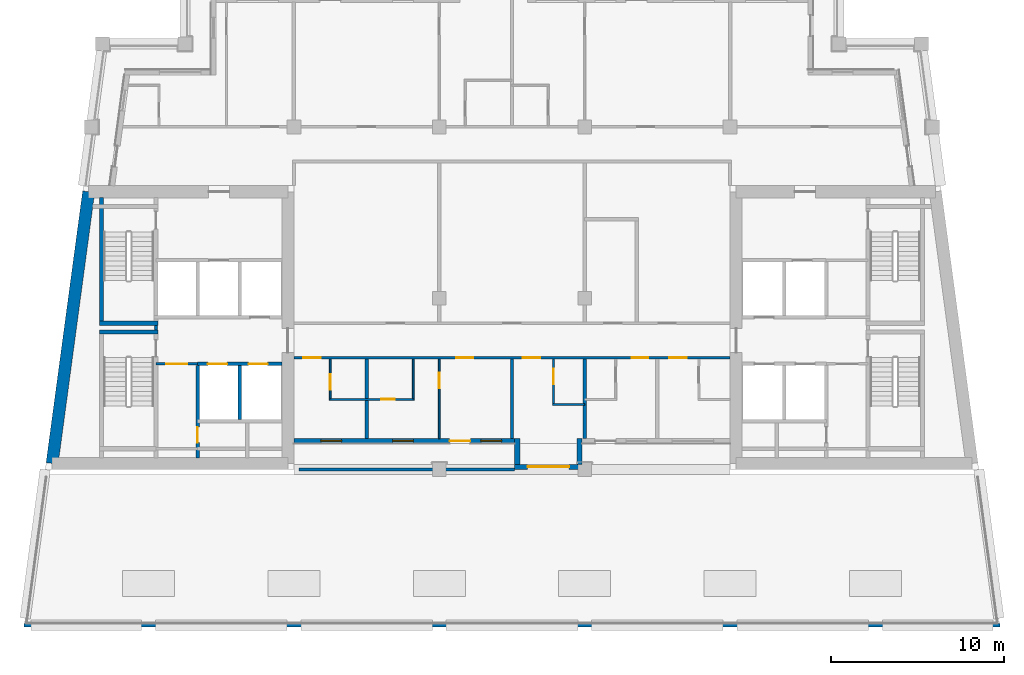
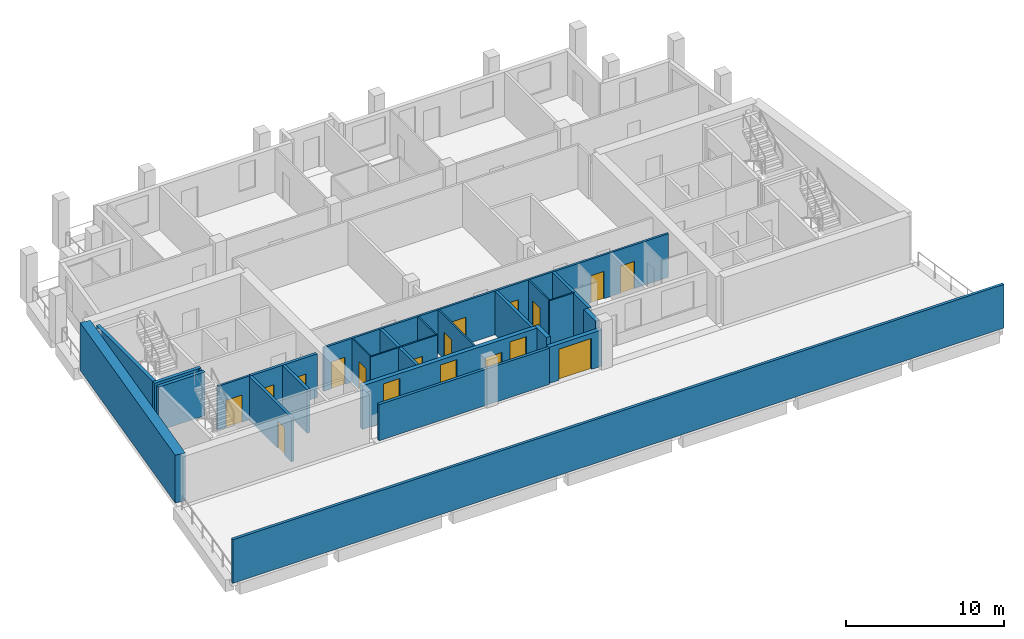
# One storey, part 2 of 12: 25 walls, 15 doors, 3 windows, 18 openings.
"""IFC4 building model written with IfcOpenShell, lengths in metres."""

from ifc_helpers import new_model, si_unit, direction, frame, frame_2d, origin, place, context, subcontext, project, spatial, rectangle, extrude, material, layer, layer_set, type_object, element, fill, save


model = new_model("IFC4")

# Units and contexts
model_context = context("Model", 3, precision=1e-05, world=origin(), true_north=direction((0.0, 1.0)))
body_context = subcontext(model_context, "Body", "Model", "MODEL_VIEW")
ifc_project = project(units=[si_unit("LENGTHUNIT", "METRE"), si_unit("AREAUNIT", "SQUARE_METRE"), si_unit("VOLUMEUNIT", "CUBIC_METRE"), si_unit("PLANEANGLEUNIT", "RADIAN"), si_unit("MASSUNIT", "GRAM", prefix="KILO")], contexts=[model_context])

# Site, building, storey
site_placement = place(None, origin())
site = spatial("IfcSite", under=ifc_project, at=site_placement, CompositionType="ELEMENT")
building_placement = place(site_placement, origin())
building = spatial("IfcBuilding", under=site, at=building_placement, Name="Candeia Pilgrim Tower and Theatre", CompositionType="ELEMENT")
storey_placement = place(building_placement, frame((0.0, 0.0, 281.199951171875)))
storey = spatial("IfcBuildingStorey", under=building, at=storey_placement, Name="L68", CompositionType="ELEMENT", Elevation=281.199951171875)

# Wall
ifc_material_1 = material(Name="Concrete C40/50", Category="concrete")
ifc_layer_1 = layer(ifc_material_1, 0.699951171875)
ifc_layer_set_1 = layer_set([ifc_layer_1], Name="Core wall 700 C40/50")
wall_type_1 = type_object("IfcWallType", Name="Core wall 700 C40/50", PredefinedType="SHEAR", material=ifc_layer_set_1)
wall_1_placement = place(storey_placement, frame((86.8232421875, 116.35009765625, 0.0), z_axis=(0.0, 0.0, 1.0), x_axis=(0.133416378607, 0.99106007382, 0.0)))
element("IfcWall", 1, at=wall_1_placement, inside=storey, type_object=wall_type_1, Name="Core wall W4", PredefinedType="SHEAR", context=body_context, shape_type="SweptSolid", body=[
    extrude(rectangle(XDim=15.841552734375, YDim=0.699951171875, at=frame_2d((7.9208984375, 0.0))), origin(), (0.0, 0.0, 1.0), 3.699951171875),
])

# Wall, openings, door, windows
ifc_material_2 = material(Name="Ceramic block masonry", Category="masonry")
ifc_layer_2 = layer(ifc_material_2, 0.300048828125)
ifc_layer_set_2 = layer_set([ifc_layer_2], Name="EW1 glazing-line wall 300")
wall_type_2 = type_object("IfcWallType", Name="EW1 glazing-line wall 300", PredefinedType="SOLIDWALL", material=ifc_layer_set_2)
wall_2_placement = place(storey_placement, frame((100.800048828125, 117.64990234375, 0.0), z_axis=(0.0, 0.0, 1.0), x_axis=(1.0, 0.0, 0.0)))
wall_2 = element("IfcWall", 2, at=wall_2_placement, inside=storey, type_object=wall_type_2, Name="External wall L68-1.0", PredefinedType="SOLIDWALL", context=body_context, shape_type="SweptSolid", body=[
    extrude(rectangle(XDim=12.75, YDim=0.300048828125, at=frame_2d((6.375, 0.0))), origin(), (0.0, 0.0, 1.0), 3.380126953125),
])
opening_1_placement = place(wall_2_placement, frame((1.550048828125, 0.0, 0.89990234375)))
opening_1 = element("IfcOpeningElement", 3, at=opening_1_placement, cuts=wall_2, Name="Opening W-B", PredefinedType="OPENING", context=body_context, shape_type="SweptSolid", body=[
    extrude(rectangle(XDim=1.199951171875, YDim=2.10009765625, at=frame_2d((0.60009765625, 1.050048828125))), frame((0.0, 0.16015625, 0.0), z_axis=(0.0, -1.0, 0.0), x_axis=(1.0, 0.0, 0.0)), (0.0, 0.0, 1.0), 0.320068359375),
])
opening_2_placement = place(wall_2_placement, frame((5.699951171875, 0.0, 0.89990234375)))
opening_2 = element("IfcOpeningElement", 4, at=opening_2_placement, cuts=wall_2, Name="Opening W-B", PredefinedType="OPENING", context=body_context, shape_type="SweptSolid", body=[
    extrude(rectangle(XDim=1.199951171875, YDim=2.10009765625, at=frame_2d((0.60009765625, 1.050048828125))), frame((0.0, 0.16015625, 0.0), z_axis=(0.0, -1.0, 0.0), x_axis=(1.0, 0.0, 0.0)), (0.0, 0.0, 1.0), 0.320068359375),
])
opening_3_placement = place(wall_2_placement, frame((9.0, 0.0, 0.0)))
opening_3 = element("IfcOpeningElement", 5, at=opening_3_placement, cuts=wall_2, Name="Opening L68-ED637", PredefinedType="OPENING", context=body_context, shape_type="SweptSolid", body=[
    extrude(rectangle(XDim=1.199951171875, YDim=2.39990234375, at=frame_2d((0.60009765625, 1.199951171875))), frame((0.0, 0.16015625, 0.0), z_axis=(0.0, -1.0, 0.0), x_axis=(1.0, 0.0, 0.0)), (0.0, 0.0, 1.0), 0.320068359375),
])
opening_4_placement = place(wall_2_placement, frame((10.800048828125, 0.0, 0.89990234375)))
opening_4 = element("IfcOpeningElement", 6, at=opening_4_placement, cuts=wall_2, Name="Opening W-B", PredefinedType="OPENING", context=body_context, shape_type="SweptSolid", body=[
    extrude(rectangle(XDim=1.199951171875, YDim=2.10009765625, at=frame_2d((0.60009765625, 1.050048828125))), frame((0.0, 0.16015625, 0.0), z_axis=(0.0, -1.0, 0.0), x_axis=(1.0, 0.0, 0.0)), (0.0, 0.0, 1.0), 0.320068359375),
])
ifc_material_3 = material(Name="Aluminium framed glazed door", Category="aluminium")
door_type_1 = type_object("IfcDoorType", Name="Loggia door 1200x2400", OperationType="DOUBLE_DOOR_SINGLE_SWING", PredefinedType="DOOR", material=ifc_material_3)
door_1_placement = place(opening_3_placement, origin())
door_1 = element("IfcDoor", 7, at=door_1_placement, inside=storey, type_object=door_type_1, Name="Loggia door L68-ED637", OperationType="DOUBLE_DOOR_SINGLE_SWING", OverallHeight=2.39990234375, OverallWidth=1.199951171875, PredefinedType="DOOR", context=body_context, shape_type="SweptSolid", body=[
    extrude(rectangle(XDim=1.199951171875, YDim=2.39990234375, at=frame_2d((0.60009765625, 1.199951171875))), frame((0.0, 0.02490234375, 0.0), z_axis=(0.0, -1.0, 0.0), x_axis=(1.0, 0.0, 0.0)), (0.0, 0.0, 1.0), 0.050048828125),
])
fill(opening_3, door_1)
ifc_material_4 = material(Name="Aluminium framed double glazing", Category="aluminium")
window_type = type_object("IfcWindowType", Name="W-B window 1200x2100", PartitioningType="SINGLE_PANEL", PredefinedType="WINDOW", material=ifc_material_4)
window_1_placement = place(opening_1_placement, origin())
window_1 = element("IfcWindow", 8, at=window_1_placement, inside=storey, type_object=window_type, Name="Window W-B L68", OverallHeight=2.10009765625, OverallWidth=1.199951171875, PartitioningType="SINGLE_PANEL", PredefinedType="WINDOW", context=body_context, shape_type="SweptSolid", body=[
    extrude(rectangle(XDim=1.199951171875, YDim=2.10009765625, at=frame_2d((0.60009765625, 1.050048828125))), frame((0.0, 0.030029296875, 0.0), z_axis=(0.0, -1.0, 0.0), x_axis=(1.0, 0.0, 0.0)), (0.0, 0.0, 1.0), 0.06005859375),
])
fill(opening_1, window_1)
window_2_placement = place(opening_2_placement, origin())
window_2 = element("IfcWindow", 9, at=window_2_placement, inside=storey, type_object=window_type, Name="Window W-B L68", OverallHeight=2.10009765625, OverallWidth=1.199951171875, PartitioningType="SINGLE_PANEL", PredefinedType="WINDOW", context=body_context, shape_type="SweptSolid", body=[
    extrude(rectangle(XDim=1.199951171875, YDim=2.10009765625, at=frame_2d((0.60009765625, 1.050048828125))), frame((0.0, 0.030029296875, 0.0), z_axis=(0.0, -1.0, 0.0), x_axis=(1.0, 0.0, 0.0)), (0.0, 0.0, 1.0), 0.06005859375),
])
fill(opening_2, window_2)
window_3_placement = place(opening_4_placement, origin())
window_3 = element("IfcWindow", 10, at=window_3_placement, inside=storey, type_object=window_type, Name="Window W-B L68", OverallHeight=2.10009765625, OverallWidth=1.199951171875, PartitioningType="SINGLE_PANEL", PredefinedType="WINDOW", context=body_context, shape_type="SweptSolid", body=[
    extrude(rectangle(XDim=1.199951171875, YDim=2.10009765625, at=frame_2d((0.60009765625, 1.050048828125))), frame((0.0, 0.030029296875, 0.0), z_axis=(0.0, -1.0, 0.0), x_axis=(1.0, 0.0, 0.0)), (0.0, 0.0, 1.0), 0.06005859375),
])
fill(opening_4, window_3)

# Walls
ifc_layer_3 = layer(ifc_material_2, 0.300048828125)
ifc_layer_set_3 = layer_set([ifc_layer_3], Name="EW2 entrance infill wall 300")
wall_type_3 = type_object("IfcWallType", Name="EW2 entrance infill wall 300", PredefinedType="SOLIDWALL", material=ifc_layer_set_3)
for number, where, z_axis, x_axis, name in (
    (11, (113.699951171875, 117.800048828125, 0.0), (0.0, 0.0, 1.0), (0.0, -1.0, 0.0), "Alcove wall L68"),
    (12, (117.300048828125, 117.800048828125, 0.0), (0.0, 0.0, 1.0), (0.0, -1.0, 0.0), "Alcove wall L68"),
):
    element("IfcWall", number, at=place(storey_placement, frame(where, z_axis=z_axis, x_axis=x_axis)), inside=storey, type_object=wall_type_3, Name=name, PredefinedType="SOLIDWALL", context=body_context, shape_type="SweptSolid", body=[
        extrude(rectangle(XDim=1.5, YDim=0.300048828125, at=frame_2d((0.75, 0.0))), origin(), (0.0, 0.0, 1.0), 3.380126953125),
    ])

# Wall, opening, door
wall_3_placement = place(storey_placement, frame((113.550048828125, 116.14990234375, 0.0), z_axis=(0.0, 0.0, 1.0), x_axis=(1.0, 0.0, 0.0)))
wall_3 = element("IfcWall", 13, at=wall_3_placement, inside=storey, type_object=wall_type_3, Name="Alcove wall L68", PredefinedType="SOLIDWALL", context=body_context, shape_type="SweptSolid", body=[
    extrude(rectangle(XDim=3.89990234375, YDim=0.300048828125, at=frame_2d((1.949951171875, 0.0))), origin(), (0.0, 0.0, 1.0), 2.800048828125),
])
opening_5_placement = place(wall_3_placement, frame((0.75, 0.0, 0.0)))
opening_5 = element("IfcOpeningElement", 14, at=opening_5_placement, cuts=wall_3, Name="Opening L68-ED639", PredefinedType="OPENING", context=body_context, shape_type="SweptSolid", body=[
    extrude(rectangle(XDim=2.39990234375, YDim=2.39990234375, at=frame_2d((1.199951171875, 1.199951171875))), frame((0.0, 0.16015625, 0.0), z_axis=(0.0, -1.0, 0.0), x_axis=(1.0, 0.0, 0.0)), (0.0, 0.0, 1.0), 0.320068359375),
])
door_type_2 = type_object("IfcDoorType", Name="ED entrance double door 2400x2400", OperationType="DOUBLE_DOOR_DOUBLE_SWING", PredefinedType="DOOR", material=ifc_material_3)
door_2_placement = place(opening_5_placement, origin())
door_2 = element("IfcDoor", 15, at=door_2_placement, inside=storey, type_object=door_type_2, Name="Terrace door L68-ED639", OperationType="DOUBLE_DOOR_DOUBLE_SWING", OverallHeight=2.39990234375, OverallWidth=2.39990234375, PredefinedType="DOOR", context=body_context, shape_type="SweptSolid", body=[
    extrude(rectangle(XDim=2.39990234375, YDim=2.39990234375, at=frame_2d((1.199951171875, 1.199951171875))), frame((0.0, 0.02490234375, 0.0), z_axis=(0.0, -1.0, 0.0), x_axis=(1.0, 0.0, 0.0)), (0.0, 0.0, 1.0), 0.050048828125),
])
fill(opening_5, door_2)

# Wall
ifc_material_5 = material(Name="Gypsum board partition on steel studs", Category="steel")
ifc_layer_4 = layer(ifc_material_5, 0.10009765625)
ifc_layer_set_4 = layer_set([ifc_layer_4], Name="PW-100 room partition")
wall_type_4 = type_object("IfcWallType", Name="PW-100 room partition", PredefinedType="PARTITIONING", material=ifc_layer_set_4)
wall_4_placement = place(storey_placement, frame((115.75, 119.75, 0.0), z_axis=(0.0, 0.0, 1.0), x_axis=(1.0, 0.0, 0.0)))
element("IfcWall", 16, at=wall_4_placement, inside=storey, type_object=wall_type_4, Name="Room partition L68-011", PredefinedType="PARTITIONING", context=body_context, shape_type="SweptSolid", body=[
    extrude(rectangle(XDim=1.85009765625, YDim=0.10009765625, at=frame_2d((0.925048828125, 0.0))), origin(), (0.0, 0.0, 1.0), 3.380126953125),
])

# Wall, opening, door
wall_5_placement = place(storey_placement, frame((102.85009765625, 120.050048828125, 0.0), z_axis=(0.0, 0.0, 1.0), x_axis=(1.0, 0.0, 0.0)))
wall_5 = element("IfcWall", 17, at=wall_5_placement, inside=storey, type_object=wall_type_4, Name="Room partition L68-012", PredefinedType="PARTITIONING", context=body_context, shape_type="SweptSolid", body=[
    extrude(rectangle(XDim=4.89990234375, YDim=0.10009765625, at=frame_2d((2.449951171875, 0.0))), origin(), (0.0, 0.0, 1.0), 3.380126953125),
])
opening_6_placement = place(wall_5_placement, frame((2.97998046875, 0.0, 0.0)))
opening_6 = element("IfcOpeningElement", 18, at=opening_6_placement, cuts=wall_5, Name="Opening L68-D013", PredefinedType="OPENING", context=body_context, shape_type="SweptSolid", body=[
    extrude(rectangle(XDim=0.800048828125, YDim=2.10009765625, at=frame_2d((0.39990234375, 1.050048828125))), frame((0.0, 0.06005859375, 0.0), z_axis=(0.0, -1.0, 0.0), x_axis=(1.0, 0.0, 0.0)), (0.0, 0.0, 1.0), 0.1201171875),
])
ifc_material_6 = material(Name="Timber door leaf", Category="wood")
door_type_3 = type_object("IfcDoorType", Name="D-800", OperationType="NOTDEFINED", PredefinedType="DOOR", material=ifc_material_6)
door_3_placement = place(opening_6_placement, origin())
door_3 = element("IfcDoor", 19, at=door_3_placement, inside=storey, type_object=door_type_3, Name="Door L68-D013", OperationType="SINGLE_SWING_LEFT", OverallHeight=2.10009765625, OverallWidth=0.800048828125, PredefinedType="DOOR", context=body_context, shape_type="SweptSolid", body=[
    extrude(rectangle(XDim=0.800048828125, YDim=2.10009765625, at=frame_2d((0.39990234375, 1.050048828125))), frame((0.0, 0.02490234375, 0.0), z_axis=(0.0, -1.0, 0.0), x_axis=(1.0, 0.0, 0.0)), (0.0, 0.0, 1.0), 0.050048828125),
])
fill(opening_6, door_3)

wall_6_placement = place(storey_placement, frame((102.89990234375, 120.10009765625, 0.0), z_axis=(0.0, 0.0, 1.0), x_axis=(0.0, 1.0, 0.0)))
wall_6 = element("IfcWall", 20, at=wall_6_placement, inside=storey, type_object=wall_type_4, Name="Room partition L68-053", PredefinedType="PARTITIONING", context=body_context, shape_type="SweptSolid", body=[
    extrude(rectangle(XDim=2.27490234375, YDim=0.10009765625, at=frame_2d((1.137451171875, 0.0))), origin(), (0.0, 0.0, 1.0), 3.380126953125),
])
opening_7_placement = place(wall_6_placement, frame((0.5, 0.0, 0.0)))
opening_7 = element("IfcOpeningElement", 21, at=opening_7_placement, cuts=wall_6, Name="Opening L68-D010", PredefinedType="OPENING", context=body_context, shape_type="SweptSolid", body=[
    extrude(rectangle(XDim=0.89990234375, YDim=2.10009765625, at=frame_2d((0.449951171875, 1.050048828125))), frame((0.0, 0.06005859375, 0.0), z_axis=(0.0, -1.0, 0.0), x_axis=(1.0, 0.0, 0.0)), (0.0, 0.0, 1.0), 0.1201171875),
])
door_type_4 = type_object("IfcDoorType", Name="D-900", OperationType="NOTDEFINED", PredefinedType="DOOR", material=ifc_material_6)
door_4_placement = place(opening_7_placement, origin())
door_4 = element("IfcDoor", 22, at=door_4_placement, inside=storey, type_object=door_type_4, Name="Door L68-D010", OperationType="SINGLE_SWING_RIGHT", OverallHeight=2.10009765625, OverallWidth=0.89990234375, PredefinedType="DOOR", context=body_context, shape_type="SweptSolid", body=[
    extrude(rectangle(XDim=0.89990234375, YDim=2.10009765625, at=frame_2d((0.449951171875, 1.050048828125))), frame((0.0, 0.02490234375, 0.0), z_axis=(0.0, -1.0, 0.0), x_axis=(1.0, 0.0, 0.0)), (0.0, 0.0, 1.0), 0.050048828125),
])
fill(opening_7, door_4)

# Wall
wall_7_placement = place(storey_placement, frame((107.699951171875, 120.10009765625, 0.0), z_axis=(0.0, 0.0, 1.0), x_axis=(0.0, 1.0, 0.0)))
element("IfcWall", 23, at=wall_7_placement, inside=storey, type_object=wall_type_4, Name="Room partition L68-055", PredefinedType="PARTITIONING", context=body_context, shape_type="SweptSolid", body=[
    extrude(rectangle(XDim=2.27490234375, YDim=0.10009765625, at=frame_2d((1.137451171875, 0.0))), origin(), (0.0, 0.0, 1.0), 3.380126953125),
])

# Wall, opening, door
wall_8_placement = place(storey_placement, frame((109.199951171875, 117.7900390625, 0.0), z_axis=(0.0, 0.0, 1.0), x_axis=(0.0, 1.0, 0.0)))
wall_8 = element("IfcWall", 24, at=wall_8_placement, inside=storey, type_object=wall_type_4, Name="Room partition L68-056", PredefinedType="PARTITIONING", context=body_context, shape_type="SweptSolid", body=[
    extrude(rectangle(XDim=4.5849609375, YDim=0.10009765625, at=frame_2d((2.29248046875, 0.0))), origin(), (0.0, 0.0, 1.0), 3.380126953125),
])
opening_8_placement = place(wall_8_placement, frame((2.907958984375, 0.0, 0.0)))
opening_8 = element("IfcOpeningElement", 25, at=opening_8_placement, cuts=wall_8, Name="Opening L68-D012", PredefinedType="OPENING", context=body_context, shape_type="SweptSolid", body=[
    extrude(rectangle(XDim=0.89990234375, YDim=2.10009765625, at=frame_2d((0.449951171875, 1.050048828125))), frame((0.0, 0.06005859375, 0.0), z_axis=(0.0, -1.0, 0.0), x_axis=(1.0, 0.0, 0.0)), (0.0, 0.0, 1.0), 0.1201171875),
])
door_5_placement = place(opening_8_placement, origin())
door_5 = element("IfcDoor", 26, at=door_5_placement, inside=storey, type_object=door_type_4, Name="Door L68-D012", OperationType="SINGLE_SWING_RIGHT", OverallHeight=2.10009765625, OverallWidth=0.89990234375, PredefinedType="DOOR", context=body_context, shape_type="SweptSolid", body=[
    extrude(rectangle(XDim=0.89990234375, YDim=2.10009765625, at=frame_2d((0.449951171875, 1.050048828125))), frame((0.0, 0.02490234375, 0.0), z_axis=(0.0, -1.0, 0.0), x_axis=(1.0, 0.0, 0.0)), (0.0, 0.0, 1.0), 0.050048828125),
])
fill(opening_8, door_5)

wall_9_placement = place(storey_placement, frame((115.800048828125, 119.800048828125, 0.0), z_axis=(0.0, 0.0, 1.0), x_axis=(0.0, 1.0, 0.0)))
wall_9 = element("IfcWall", 27, at=wall_9_placement, inside=storey, type_object=wall_type_4, Name="Room partition L68-063", PredefinedType="PARTITIONING", context=body_context, shape_type="SweptSolid", body=[
    extrude(rectangle(XDim=2.574951171875, YDim=0.10009765625, at=frame_2d((1.28759765625, 0.0))), origin(), (0.0, 0.0, 1.0), 3.380126953125),
])
opening_9_placement = place(wall_9_placement, frame((1.125, 0.0, 0.0)))
opening_9 = element("IfcOpeningElement", 28, at=opening_9_placement, cuts=wall_9, Name="Opening L68-D015", PredefinedType="OPENING", context=body_context, shape_type="SweptSolid", body=[
    extrude(rectangle(XDim=0.89990234375, YDim=2.10009765625, at=frame_2d((0.449951171875, 1.050048828125))), frame((0.0, 0.06005859375, 0.0), z_axis=(0.0, -1.0, 0.0), x_axis=(1.0, 0.0, 0.0)), (0.0, 0.0, 1.0), 0.1201171875),
])
door_6_placement = place(opening_9_placement, origin())
door_6 = element("IfcDoor", 29, at=door_6_placement, inside=storey, type_object=door_type_4, Name="Door L68-D015", OperationType="SINGLE_SWING_LEFT", OverallHeight=2.10009765625, OverallWidth=0.89990234375, PredefinedType="DOOR", context=body_context, shape_type="SweptSolid", body=[
    extrude(rectangle(XDim=0.89990234375, YDim=2.10009765625, at=frame_2d((0.449951171875, 1.050048828125))), frame((0.0, 0.02490234375, 0.0), z_axis=(0.0, -1.0, 0.0), x_axis=(1.0, 0.0, 0.0)), (0.0, 0.0, 1.0), 0.050048828125),
])
fill(opening_9, door_6)

ifc_layer_5 = layer(ifc_material_5, 0.14990234375)
ifc_layer_set_5 = layer_set([ifc_layer_5], Name="PW-150 lobby wall")
wall_type_5 = type_object("IfcWallType", Name="PW-150 lobby wall", PredefinedType="PARTITIONING", material=ifc_layer_set_5)
wall_10_placement = place(storey_placement, frame((92.826904296875, 122.10009765625, 0.0), z_axis=(0.0, 0.0, 1.0), x_axis=(1.0, 0.0, 0.0)))
wall_10 = element("IfcWall", 30, at=wall_10_placement, inside=storey, type_object=wall_type_5, Name="Lobby wall L68-017", PredefinedType="PARTITIONING", context=body_context, shape_type="SweptSolid", body=[
    extrude(rectangle(XDim=2.400146484375, YDim=0.14990234375, at=frame_2d((1.2001953125, 0.0))), origin(), (0.0, 0.0, 1.0), 3.380126953125),
])
opening_10_placement = place(wall_10_placement, frame((0.60009765625, 0.0, 0.0)))
opening_10 = element("IfcOpeningElement", 31, at=opening_10_placement, cuts=wall_10, Name="Opening L68-D001", PredefinedType="OPENING", context=body_context, shape_type="SweptSolid", body=[
    extrude(rectangle(XDim=1.199951171875, YDim=2.10009765625, at=frame_2d((0.60009765625, 1.050048828125))), frame((0.0, 0.0849609375, 0.0), z_axis=(0.0, -1.0, 0.0), x_axis=(1.0, 0.0, 0.0)), (0.0, 0.0, 1.0), 0.169921875),
])
ifc_material_7 = material(Name="Steel fire door set", Category="steel")
door_type_5 = type_object("IfcDoorType", Name="D-1200-FD60", OperationType="NOTDEFINED", PredefinedType="DOOR", material=ifc_material_7)
door_7_placement = place(opening_10_placement, origin())
door_7 = element("IfcDoor", 32, at=door_7_placement, inside=storey, type_object=door_type_5, Name="Door L68-D001", OperationType="SINGLE_SWING_LEFT", OverallHeight=2.10009765625, OverallWidth=1.199951171875, PredefinedType="DOOR", context=body_context, shape_type="SweptSolid", body=[
    extrude(rectangle(XDim=1.199951171875, YDim=2.10009765625, at=frame_2d((0.60009765625, 1.050048828125))), frame((0.0, 0.02490234375, 0.0), z_axis=(0.0, -1.0, 0.0), x_axis=(1.0, 0.0, 0.0)), (0.0, 0.0, 1.0), 0.050048828125),
])
fill(opening_10, door_7)

# Wall
wall_11_placement = place(storey_placement, frame((92.826904296875, 124.074951171875, 0.0), z_axis=(0.0, 0.0, 1.0), x_axis=(0.0, 1.0, 0.0)))
element("IfcWall", 33, at=wall_11_placement, inside=storey, type_object=wall_type_5, Name="Lobby wall L68-041", PredefinedType="PARTITIONING", context=body_context, shape_type="SweptSolid", body=[
    extrude(rectangle(XDim=0.25, YDim=0.14990234375, at=frame_2d((0.125, 0.0))), origin(), (0.0, 0.0, 1.0), 3.380126953125),
])

# Wall, openings, doors
ifc_layer_6 = layer(ifc_material_5, 0.14990234375)
ifc_layer_set_6 = layer_set([ifc_layer_6], Name="PW-150 unit wall")
wall_type_6 = type_object("IfcWallType", Name="PW-150 unit wall", PredefinedType="PARTITIONING", material=ifc_layer_set_6)
wall_12_placement = place(storey_placement, frame((100.800048828125, 122.449951171875, 0.0), z_axis=(0.0, 0.0, 1.0), x_axis=(1.0, 0.0, 0.0)))
wall_12 = element("IfcWall", 34, at=wall_12_placement, inside=storey, type_object=wall_type_6, Name="Unit wall L68-019", PredefinedType="PARTITIONING", context=body_context, shape_type="SweptSolid", body=[
    extrude(rectangle(XDim=25.199951171875, YDim=0.14990234375, at=frame_2d((12.60009765625, 0.0))), origin(), (0.0, 0.0, 1.0), 3.380126953125),
])
opening_11_placement = place(wall_12_placement, frame((0.550048828125, 0.0, 0.0)))
opening_11 = element("IfcOpeningElement", 35, at=opening_11_placement, cuts=wall_12, Name="Opening L68-D009", PredefinedType="OPENING", context=body_context, shape_type="SweptSolid", body=[
    extrude(rectangle(XDim=1.0, YDim=2.10009765625, at=frame_2d((0.5, 1.050048828125))), frame((0.0, 0.0849609375, 0.0), z_axis=(0.0, -1.0, 0.0), x_axis=(1.0, 0.0, 0.0)), (0.0, 0.0, 1.0), 0.169921875),
])
opening_12_placement = place(wall_12_placement, frame((9.375, 0.0, 0.0)))
opening_12 = element("IfcOpeningElement", 36, at=opening_12_placement, cuts=wall_12, Name="Opening L68-D011", PredefinedType="OPENING", context=body_context, shape_type="SweptSolid", body=[
    extrude(rectangle(XDim=1.0, YDim=2.10009765625, at=frame_2d((0.5, 1.050048828125))), frame((0.0, 0.0849609375, 0.0), z_axis=(0.0, -1.0, 0.0), x_axis=(1.0, 0.0, 0.0)), (0.0, 0.0, 1.0), 0.169921875),
])
opening_13_placement = place(wall_12_placement, frame((13.22998046875, 0.0, 0.0)))
opening_13 = element("IfcOpeningElement", 37, at=opening_13_placement, cuts=wall_12, Name="Opening L68-D014", PredefinedType="OPENING", context=body_context, shape_type="SweptSolid", body=[
    extrude(rectangle(XDim=1.0, YDim=2.10009765625, at=frame_2d((0.5, 1.050048828125))), frame((0.0, 0.0849609375, 0.0), z_axis=(0.0, -1.0, 0.0), x_axis=(1.0, 0.0, 0.0)), (0.0, 0.0, 1.0), 0.169921875),
])
opening_14_placement = place(wall_12_placement, frame((19.512939453125, 0.0, 0.0)))
opening_14 = element("IfcOpeningElement", 38, at=opening_14_placement, cuts=wall_12, Name="Opening L68-D016", PredefinedType="OPENING", context=body_context, shape_type="SweptSolid", body=[
    extrude(rectangle(XDim=0.949951171875, YDim=2.10009765625, at=frame_2d((0.47509765625, 1.050048828125))), frame((0.0, 0.0849609375, 0.0), z_axis=(0.0, -1.0, 0.0), x_axis=(1.0, 0.0, 0.0)), (0.0, 0.0, 1.0), 0.169921875),
])
opening_15_placement = place(wall_12_placement, frame((21.699951171875, 0.0, 0.0)))
opening_15 = element("IfcOpeningElement", 39, at=opening_15_placement, cuts=wall_12, Name="Opening L68-D018", PredefinedType="OPENING", context=body_context, shape_type="SweptSolid", body=[
    extrude(rectangle(XDim=1.0, YDim=2.10009765625, at=frame_2d((0.5, 1.050048828125))), frame((0.0, 0.0849609375, 0.0), z_axis=(0.0, -1.0, 0.0), x_axis=(1.0, 0.0, 0.0)), (0.0, 0.0, 1.0), 0.169921875),
])
door_type_6 = type_object("IfcDoorType", Name="D-1000-FD30S", OperationType="NOTDEFINED", PredefinedType="DOOR", material=ifc_material_7)
door_8_placement = place(opening_11_placement, origin())
door_8 = element("IfcDoor", 40, at=door_8_placement, inside=storey, type_object=door_type_6, Name="Door L68-D009", OperationType="SINGLE_SWING_LEFT", OverallHeight=2.10009765625, OverallWidth=1.0, PredefinedType="DOOR", context=body_context, shape_type="SweptSolid", body=[
    extrude(rectangle(XDim=1.0, YDim=2.10009765625, at=frame_2d((0.5, 1.050048828125))), frame((0.0, 0.02490234375, 0.0), z_axis=(0.0, -1.0, 0.0), x_axis=(1.0, 0.0, 0.0)), (0.0, 0.0, 1.0), 0.050048828125),
])
fill(opening_11, door_8)
door_9_placement = place(opening_12_placement, origin())
door_9 = element("IfcDoor", 41, at=door_9_placement, inside=storey, type_object=door_type_6, Name="Door L68-D011", OperationType="SINGLE_SWING_LEFT", OverallHeight=2.10009765625, OverallWidth=1.0, PredefinedType="DOOR", context=body_context, shape_type="SweptSolid", body=[
    extrude(rectangle(XDim=1.0, YDim=2.10009765625, at=frame_2d((0.5, 1.050048828125))), frame((0.0, 0.02490234375, 0.0), z_axis=(0.0, -1.0, 0.0), x_axis=(1.0, 0.0, 0.0)), (0.0, 0.0, 1.0), 0.050048828125),
])
fill(opening_12, door_9)
door_10_placement = place(opening_13_placement, origin())
door_10 = element("IfcDoor", 42, at=door_10_placement, inside=storey, type_object=door_type_6, Name="Door L68-D014", OperationType="SINGLE_SWING_RIGHT", OverallHeight=2.10009765625, OverallWidth=1.0, PredefinedType="DOOR", context=body_context, shape_type="SweptSolid", body=[
    extrude(rectangle(XDim=1.0, YDim=2.10009765625, at=frame_2d((0.5, 1.050048828125))), frame((0.0, 0.02490234375, 0.0), z_axis=(0.0, -1.0, 0.0), x_axis=(1.0, 0.0, 0.0)), (0.0, 0.0, 1.0), 0.050048828125),
])
fill(opening_13, door_10)
door_11_placement = place(opening_15_placement, origin())
door_11 = element("IfcDoor", 43, at=door_11_placement, inside=storey, type_object=door_type_6, Name="Door L68-D018", OperationType="SINGLE_SWING_RIGHT", OverallHeight=2.10009765625, OverallWidth=1.0, PredefinedType="DOOR", context=body_context, shape_type="SweptSolid", body=[
    extrude(rectangle(XDim=1.0, YDim=2.10009765625, at=frame_2d((0.5, 1.050048828125))), frame((0.0, 0.02490234375, 0.0), z_axis=(0.0, -1.0, 0.0), x_axis=(1.0, 0.0, 0.0)), (0.0, 0.0, 1.0), 0.050048828125),
])
fill(opening_15, door_11)
door_type_7 = type_object("IfcDoorType", Name="D-950-FD30S", OperationType="NOTDEFINED", PredefinedType="DOOR", material=ifc_material_7)
door_12_placement = place(opening_14_placement, origin())
door_12 = element("IfcDoor", 44, at=door_12_placement, inside=storey, type_object=door_type_7, Name="Door L68-D016", OperationType="SINGLE_SWING_RIGHT", OverallHeight=2.10009765625, OverallWidth=0.949951171875, PredefinedType="DOOR", context=body_context, shape_type="SweptSolid", body=[
    extrude(rectangle(XDim=0.949951171875, YDim=2.10009765625, at=frame_2d((0.47509765625, 1.050048828125))), frame((0.0, 0.02490234375, 0.0), z_axis=(0.0, -1.0, 0.0), x_axis=(1.0, 0.0, 0.0)), (0.0, 0.0, 1.0), 0.050048828125),
])
fill(opening_14, door_12)

# Walls
ifc_layer_7 = layer(ifc_material_5, 0.199951171875)
ifc_layer_set_7 = layer_set([ifc_layer_7], Name="PW-200 party wall")
wall_type_7 = type_object("IfcWallType", Name="PW-200 party wall", PredefinedType="PARTITIONING", material=ifc_layer_set_7)
wall_13_placement = place(storey_placement, frame((85.21142578125, 107.0, 0.0), z_axis=(0.0, 0.0, 1.0), x_axis=(1.0, 0.0, 0.0)))
element("IfcWall", 45, at=wall_13_placement, inside=storey, type_object=wall_type_7, Name="Party wall L68-001", PredefinedType="PARTITIONING", context=body_context, shape_type="SweptSolid", body=[
    extrude(rectangle(XDim=56.376953125, YDim=0.199951171875, at=frame_2d((28.1884765625, 0.0))), origin(), (0.0, 0.0, 1.0), 3.380126953125),
])
wall_14_placement = place(storey_placement, frame((101.090087890625, 116.0, 0.0), z_axis=(0.0, 0.0, 1.0), x_axis=(1.0, 0.0, 0.0)))
element("IfcWall", 46, at=wall_14_placement, inside=storey, type_object=wall_type_7, Name="Party wall L68-002", PredefinedType="PARTITIONING", context=body_context, shape_type="SweptSolid", body=[
    extrude(rectangle(XDim=12.4599609375, YDim=0.199951171875, at=frame_2d((6.22998046875, 0.0))), origin(), (0.0, 0.0, 1.0), 2.800048828125),
])
for number, where, z_axis, x_axis, name in (
    (47, (105.0, 117.7900390625, 0.0), (0.0, 0.0, 1.0), (0.0, 1.0, 0.0), "Party wall L68-054"),
    (48, (113.39990234375, 117.7900390625, 0.0), (0.0, 0.0, 1.0), (0.0, 1.0, 0.0), "Party wall L68-060"),
    (49, (117.60009765625, 117.7900390625, 0.0), (0.0, 0.0, 1.0), (0.0, 1.0, 0.0), "Party wall L68-065"),
):
    element("IfcWall", number, at=place(storey_placement, frame(where, z_axis=z_axis, x_axis=x_axis)), inside=storey, type_object=wall_type_7, Name=name, PredefinedType="PARTITIONING", context=body_context, shape_type="SweptSolid", body=[
        extrude(rectangle(XDim=4.5849609375, YDim=0.199951171875, at=frame_2d((2.29248046875, 0.0))), origin(), (0.0, 0.0, 1.0), 3.380126953125),
    ])

# Wall, openings, doors
ifc_layer_8 = layer(ifc_material_1, 0.199951171875)
ifc_layer_set_8 = layer_set([ifc_layer_8], Name="SW-200 shaft wall")
wall_type_8 = type_object("IfcWallType", Name="SW-200 shaft wall", PredefinedType="PARTITIONING", material=ifc_layer_set_8)
wall_15_placement = place(storey_placement, frame((95.22705078125, 122.10009765625, 0.0), z_axis=(0.0, 0.0, 1.0), x_axis=(1.0, 0.0, 0.0)))
wall_15 = element("IfcWall", 50, at=wall_15_placement, inside=storey, type_object=wall_type_8, Name="Shaft wall L68-015", PredefinedType="PARTITIONING", context=body_context, shape_type="SweptSolid", body=[
    extrude(rectangle(XDim=4.873046875, YDim=0.199951171875, at=frame_2d((2.4365234375, 0.0))), origin(), (0.0, 0.0, 1.0), 3.380126953125),
])
opening_16_placement = place(wall_15_placement, frame((0.60498046875, 0.0, 0.0)))
opening_16 = element("IfcOpeningElement", 51, at=opening_16_placement, cuts=wall_15, Name="Opening L68-LD01", PredefinedType="OPENING", context=body_context, shape_type="SweptSolid", body=[
    extrude(rectangle(XDim=1.10009765625, YDim=2.10009765625, at=frame_2d((0.550048828125, 1.050048828125))), frame((0.0, 0.10986328125, 0.0), z_axis=(0.0, -1.0, 0.0), x_axis=(1.0, 0.0, 0.0)), (0.0, 0.0, 1.0), 0.219970703125),
])
opening_17_placement = place(wall_15_placement, frame((2.946044921875, 0.0, 0.0)))
opening_17 = element("IfcOpeningElement", 52, at=opening_17_placement, cuts=wall_15, Name="Opening L68-LD02", PredefinedType="OPENING", context=body_context, shape_type="SweptSolid", body=[
    extrude(rectangle(XDim=1.10009765625, YDim=2.10009765625, at=frame_2d((0.550048828125, 1.050048828125))), frame((0.0, 0.10986328125, 0.0), z_axis=(0.0, -1.0, 0.0), x_axis=(1.0, 0.0, 0.0)), (0.0, 0.0, 1.0), 0.219970703125),
])
ifc_material_8 = material(Name="Glazed aluminium landing door", Category="aluminium")
door_type_8 = type_object("IfcDoorType", Name="LD-1100-EI120", OperationType="SLIDING_TO_LEFT", PredefinedType="DOOR", material=ifc_material_8)
door_13_placement = place(opening_16_placement, origin())
door_13 = element("IfcDoor", 53, at=door_13_placement, inside=storey, type_object=door_type_8, Name="Landing door 01 L68", OperationType="SLIDING_TO_LEFT", OverallHeight=2.10009765625, OverallWidth=1.10009765625, PredefinedType="DOOR", context=body_context, shape_type="SweptSolid", body=[
    extrude(rectangle(XDim=1.10009765625, YDim=2.10009765625, at=frame_2d((0.550048828125, 1.050048828125))), frame((0.0, 0.02490234375, 0.0), z_axis=(0.0, -1.0, 0.0), x_axis=(1.0, 0.0, 0.0)), (0.0, 0.0, 1.0), 0.050048828125),
])
fill(opening_16, door_13)
door_14_placement = place(opening_17_placement, origin())
door_14 = element("IfcDoor", 54, at=door_14_placement, inside=storey, type_object=door_type_8, Name="Landing door 02 L68", OperationType="SLIDING_TO_LEFT", OverallHeight=2.10009765625, OverallWidth=1.10009765625, PredefinedType="DOOR", context=body_context, shape_type="SweptSolid", body=[
    extrude(rectangle(XDim=1.10009765625, YDim=2.10009765625, at=frame_2d((0.550048828125, 1.050048828125))), frame((0.0, 0.02490234375, 0.0), z_axis=(0.0, -1.0, 0.0), x_axis=(1.0, 0.0, 0.0)), (0.0, 0.0, 1.0), 0.050048828125),
])
fill(opening_17, door_14)

# Wall, opening, door
wall_16_placement = place(storey_placement, frame((95.22705078125, 116.669921875, 0.0), z_axis=(0.0, 0.0, 1.0), x_axis=(0.0, 1.0, 0.0)))
wall_16 = element("IfcWall", 55, at=wall_16_placement, inside=storey, type_object=wall_type_8, Name="Shaft wall L68-045", PredefinedType="PARTITIONING", context=body_context, shape_type="SweptSolid", body=[
    extrude(rectangle(XDim=5.330078125, YDim=0.199951171875, at=frame_2d((2.6650390625, 0.0))), origin(), (0.0, 0.0, 1.0), 3.380126953125),
])
opening_18_placement = place(wall_16_placement, frame((0.8798828125, 0.0, 0.0)))
opening_18 = element("IfcOpeningElement", 56, at=opening_18_placement, cuts=wall_16, Name="Opening L68-D004", PredefinedType="OPENING", context=body_context, shape_type="SweptSolid", body=[
    extrude(rectangle(XDim=0.89990234375, YDim=2.10009765625, at=frame_2d((0.449951171875, 1.050048828125))), frame((0.0, 0.10986328125, 0.0), z_axis=(0.0, -1.0, 0.0), x_axis=(1.0, 0.0, 0.0)), (0.0, 0.0, 1.0), 0.219970703125),
])
door_type_9 = type_object("IfcDoorType", Name="D-900-FD60", OperationType="NOTDEFINED", PredefinedType="DOOR", material=ifc_material_7)
door_15_placement = place(opening_18_placement, origin())
door_15 = element("IfcDoor", 57, at=door_15_placement, inside=storey, type_object=door_type_9, Name="Door L68-D004", OperationType="SINGLE_SWING_RIGHT", OverallHeight=2.10009765625, OverallWidth=0.89990234375, PredefinedType="DOOR", context=body_context, shape_type="SweptSolid", body=[
    extrude(rectangle(XDim=0.89990234375, YDim=2.10009765625, at=frame_2d((0.449951171875, 1.050048828125))), frame((0.0, 0.02490234375, 0.0), z_axis=(0.0, -1.0, 0.0), x_axis=(1.0, 0.0, 0.0)), (0.0, 0.0, 1.0), 0.050048828125),
])
fill(opening_18, door_15)

# Walls
wall_17_placement = place(storey_placement, frame((97.66357421875, 118.89990234375, 0.0), z_axis=(0.0, 0.0, 1.0), x_axis=(0.0, 1.0, 0.0)))
element("IfcWall", 58, at=wall_17_placement, inside=storey, type_object=wall_type_8, Name="Shaft wall L68-048", PredefinedType="PARTITIONING", context=body_context, shape_type="SweptSolid", body=[
    extrude(rectangle(XDim=3.10009765625, YDim=0.199951171875, at=frame_2d((1.550048828125, 0.0))), origin(), (0.0, 0.0, 1.0), 3.380126953125),
])
ifc_layer_9 = layer(ifc_material_1, 0.25)
ifc_layer_set_9 = layer_set([ifc_layer_9], Name="SW-250 stair wall")
wall_type_9 = type_object("IfcWallType", Name="SW-250 stair wall", PredefinedType="PARTITIONING", material=ifc_layer_set_9)
for number, where, z_axis, x_axis, name in (
    (59, (89.552001953125, 123.949951171875, 0.0), (0.0, 0.0, 1.0), (1.0, 0.0, 0.0), "Stair wall L68-020"),
    (60, (89.552001953125, 124.449951171875, 0.0), (0.0, 0.0, 1.0), (1.0, 0.0, 0.0), "Stair wall L68-022"),
):
    element("IfcWall", number, at=place(storey_placement, frame(where, z_axis=z_axis, x_axis=x_axis)), inside=storey, type_object=wall_type_9, Name=name, PredefinedType="PARTITIONING", context=body_context, shape_type="SweptSolid", body=[
        extrude(rectangle(XDim=3.39990234375, YDim=0.25, at=frame_2d((1.699951171875, 0.0))), origin(), (0.0, 0.0, 1.0), 3.380126953125),
    ])
wall_18_placement = place(storey_placement, frame((89.677001953125, 124.574951171875, 0.0), z_axis=(0.0, 0.0, 1.0), x_axis=(0.0, 1.0, 0.0)))
element("IfcWall", 61, at=wall_18_placement, inside=storey, type_object=wall_type_9, Name="Stair wall L68-040", PredefinedType="PARTITIONING", context=body_context, shape_type="SweptSolid", body=[
    extrude(rectangle(XDim=7.155029296875, YDim=0.25, at=frame_2d((3.57763671875, 0.0))), origin(), (0.0, 0.0, 1.0), 3.380126953125),
])

save(model, "model.ifc")
